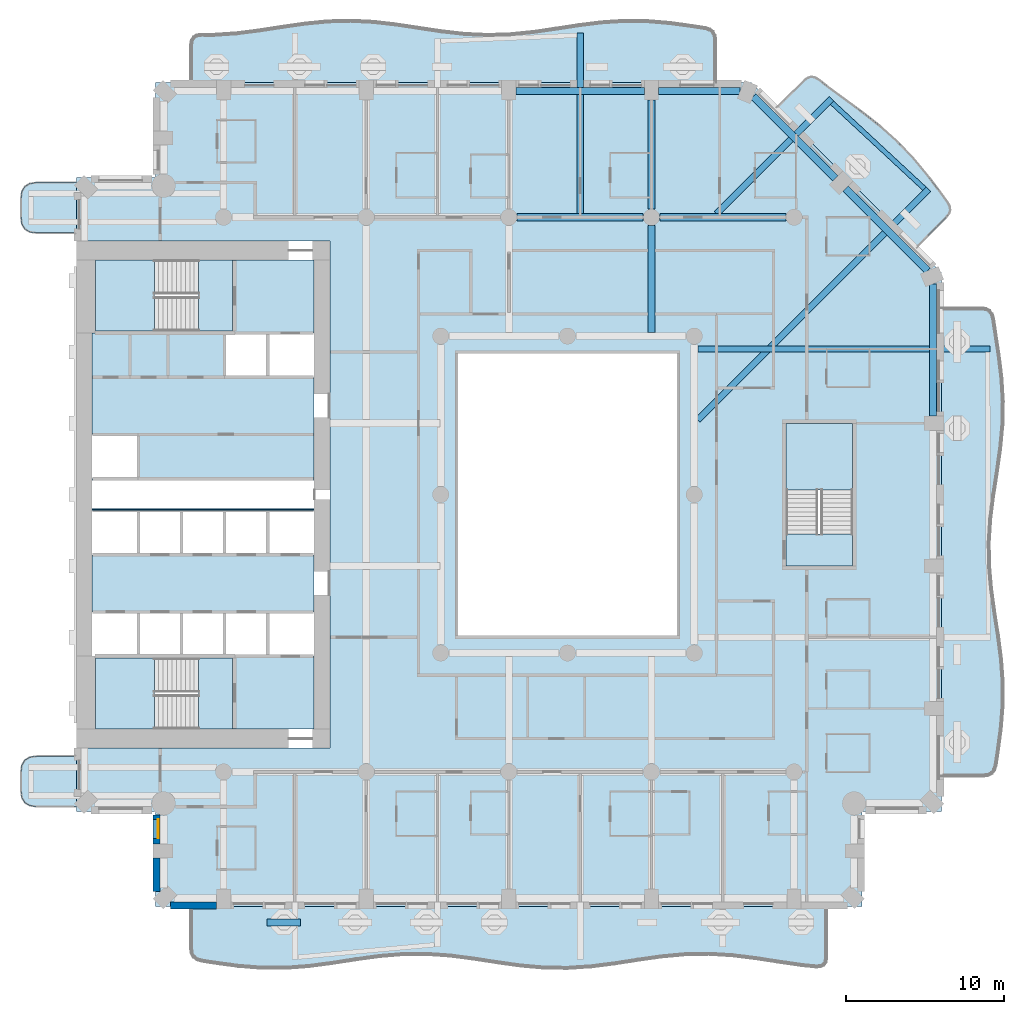
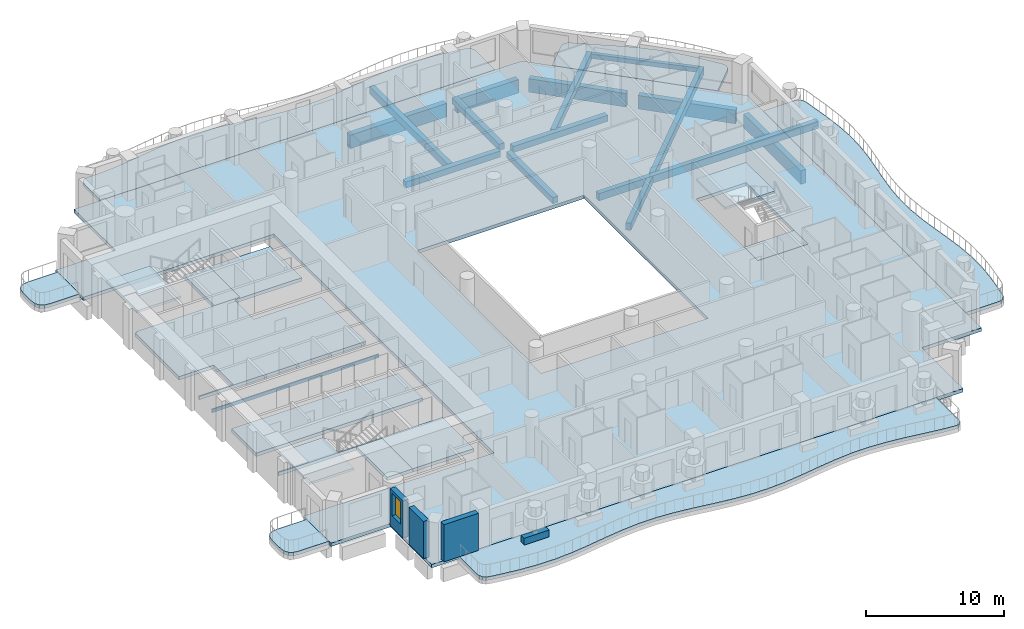
# One storey, part 2 of 20: 17 slabs, 14 beams, 4 walls, 1 window, 1 opening, 3 elements without a shape of their own.
"""IFC4 building model written with IfcOpenShell, lengths in metres."""

from ifc_helpers import new_model, si_unit, direction, frame, frame_2d, origin, origin_2d, place, context, subcontext, project, spatial, polyline, rectangle, outline, extrude, material, layer, layer_set, material_profile, profile_set, type_object, element, fill, aggregate, save


model = new_model("IFC4")

# Units and contexts
model_context = context("Model", 3, precision=1e-05, world=origin(), true_north=direction((0.0, 1.0)))
body_context = subcontext(model_context, "Body", "Model", "MODEL_VIEW")
ifc_project = project(units=[si_unit("LENGTHUNIT", "METRE"), si_unit("AREAUNIT", "SQUARE_METRE"), si_unit("VOLUMEUNIT", "CUBIC_METRE"), si_unit("PLANEANGLEUNIT", "RADIAN"), si_unit("MASSUNIT", "GRAM", prefix="KILO")], contexts=[model_context])

# Site, building, storey
site_placement = place(None, origin())
site = spatial("IfcSite", under=ifc_project, at=site_placement, CompositionType="ELEMENT")
building_placement = place(site_placement, origin())
building = spatial("IfcBuilding", under=site, at=building_placement, Name="Cypress Arch Tower", CompositionType="ELEMENT")
storey_placement = place(building_placement, frame((0.0, 0.0, 113.10009765625)))
storey = spatial("IfcBuildingStorey", under=building, at=storey_placement, Name="L23", CompositionType="ELEMENT", Elevation=113.10009765625)

# Beams
ifc_material_1 = material(Name="Concrete C50/60", Category="concrete")
ifc_material_profile_1 = material_profile(ifc_material_1, rectangle(XDim=0.300048828125, YDim=0.39990234375, at=origin_2d()), Name="RC 300x400")
ifc_profile_set_1 = profile_set([ifc_material_profile_1], Name="Concrete C50/60")
beam_type_1 = type_object("IfcBeamType", Name="Balcony edge beam RC 300x400 Concrete C50/60", PredefinedType="BEAM", material=ifc_profile_set_1)
beam_1_placement = place(storey_placement, frame((23.5302734375, 19.301025390625, -0.5), z_axis=(-0.732602447454, 0.680656781341, 0.0), x_axis=(-0.680656781341, -0.732602447454, 0.0)))
element("IfcBeam", 1, at=beam_1_placement, inside=storey, type_object=beam_type_1, Name="Balcony edge beam L23 A07", PredefinedType="BEAM", context=body_context, shape_type="SweptSolid", body=[
    extrude(rectangle(XDim=0.300048828125, YDim=0.39990234375, at=origin_2d()), origin(), (0.0, 0.0, 1.0), 7.96630859375),
])
ifc_material_2 = material(Name="Concrete C50/60", Category="concrete")
ifc_material_profile_2 = material_profile(ifc_material_2, rectangle(XDim=0.39990234375, YDim=0.64990234375, at=origin_2d()), Name="RC 400x650")
ifc_profile_set_2 = profile_set([ifc_material_profile_2], Name="Concrete C50/60")
beam_type_2 = type_object("IfcBeamType", Name="Cantilever beam RC 400x650 Concrete C50/60", PredefinedType="BEAM", material=ifc_profile_set_2)
beam_2_placement = place(storey_placement, frame((9.22509765625, 9.18798828125, -0.625), z_axis=(1.0, 0.0, 0.0), x_axis=(0.0, 1.0, 0.0)))
element("IfcBeam", 2, at=beam_2_placement, inside=storey, type_object=beam_type_2, Name="Cantilever beam L23 A06 2", PredefinedType="BEAM", context=body_context, shape_type="SweptSolid", body=[
    extrude(rectangle(XDim=0.39990234375, YDim=0.64990234375, at=origin_2d()), origin(), (0.0, 0.0, 1.0), 18.448486328125),
])
beam_3_placement = place(storey_placement, frame((9.22509765625, 4.712890625, -0.625), z_axis=(0.707100849904, 0.70711271242, 0.0), x_axis=(-0.70711271242, 0.707100849904, 0.0)))
element("IfcBeam", 3, at=beam_3_placement, inside=storey, type_object=beam_type_2, Name="Cantilever beam L23 A07 1", PredefinedType="BEAM", context=body_context, shape_type="SweptSolid", body=[
    extrude(rectangle(XDim=0.39990234375, YDim=0.64990234375, at=origin_2d()), origin(), (0.0, 0.0, 1.0), 20.580810546875),
])
beam_4_placement = place(storey_placement, frame((10.412841796875, 17.72509765625, -0.625), z_axis=(0.707106781187, 0.707106781187, 0.0), x_axis=(-0.707106781187, 0.707106781187, 0.0)))
element("IfcBeam", 4, at=beam_4_placement, inside=storey, type_object=beam_type_2, Name="Cantilever beam L23 A07 2", PredefinedType="BEAM", context=body_context, shape_type="SweptSolid", body=[
    extrude(rectangle(XDim=0.39990234375, YDim=0.64990234375, at=origin_2d()), origin(), (0.0, 0.0, 1.0), 10.2470703125),
])
beam_5_placement = place(storey_placement, frame((1.800048828125, 17.72509765625, -0.625), z_axis=(0.0, 1.0, 0.0), x_axis=(-1.0, 0.0, 0.0)))
element("IfcBeam", 5, at=beam_5_placement, inside=storey, type_object=beam_type_2, Name="Cantilever beam L23 A08 1", PredefinedType="BEAM", context=body_context, shape_type="SweptSolid", body=[
    extrude(rectangle(XDim=0.39990234375, YDim=0.64990234375, at=origin_2d()), origin(), (0.0, 0.0, 1.0), 11.40625),
])
ifc_material_3 = material(Name="Concrete C50/60", Category="concrete")
ifc_material_profile_3 = material_profile(ifc_material_3, rectangle(XDim=0.449951171875, YDim=0.550048828125, at=origin_2d()), Name="RC 450x550")
ifc_profile_set_3 = profile_set([ifc_material_profile_3], Name="Concrete C50/60")
beam_type_3 = type_object("IfcBeamType", Name="Floor beam RC 450x550 Concrete C50/60", PredefinedType="BEAM", material=ifc_profile_set_3)
for number, where, z_axis, x_axis, name in (
    (6, (-2.175048828125, 17.5, -0.5751953125), (1.0, 0.0, 0.0), (0.0, 1.0, 0.0), "Floor beam L23 FB017"),
    (7, (6.824951171875, 17.5, -0.5751953125), (1.0, 0.0, 0.0), (0.0, 1.0, 0.0), "Floor beam L23 FB018"),
):
    element("IfcBeam", number, at=place(storey_placement, frame(where, z_axis=z_axis, x_axis=x_axis)), inside=storey, type_object=beam_type_3, Name=name, PredefinedType="BEAM", context=body_context, shape_type="SweptSolid", body=[
        extrude(rectangle(XDim=0.449951171875, YDim=0.550048828125, at=origin_2d()), origin(), (0.0, 0.0, 1.0), 7.949951171875),
    ])
beam_6_placement = place(storey_placement, frame((6.300048828125, 10.22509765625, -0.5751953125), z_axis=(0.0, 1.0, 0.0), x_axis=(-1.0, 0.0, 0.0)))
element("IfcBeam", 8, at=beam_6_placement, inside=storey, type_object=beam_type_3, Name="Floor beam L23 FB032", PredefinedType="BEAM", context=body_context, shape_type="SweptSolid", body=[
    extrude(rectangle(XDim=0.449951171875, YDim=0.550048828125, at=origin_2d()), origin(), (0.0, 0.0, 1.0), 6.75),
])
beam_7_placement = place(storey_placement, frame((6.300048828125, 18.02490234375, -0.5751953125), z_axis=(0.0, 1.0, 0.0), x_axis=(-1.0, 0.0, 0.0)))
element("IfcBeam", 9, at=beam_7_placement, inside=storey, type_object=beam_type_3, Name="Floor beam L23 FB033", PredefinedType="BEAM", context=body_context, shape_type="SweptSolid", body=[
    extrude(rectangle(XDim=0.449951171875, YDim=0.550048828125, at=origin_2d()), origin(), (0.0, 0.0, 1.0), 6.875),
])
ifc_material_4 = material(Name="Concrete C50/60", Category="concrete")
ifc_material_profile_4 = material_profile(ifc_material_4, rectangle(XDim=0.449951171875, YDim=1.199951171875, at=origin_2d()), Name="RC 450x1200")
ifc_profile_set_4 = profile_set([ifc_material_profile_4], Name="Concrete C50/60")
beam_type_4 = type_object("IfcBeamType", Name="Spandrel beam RC 450x1200 Concrete C50/60", PredefinedType="SPANDREL", material=ifc_profile_set_4)
beam_8_placement = place(storey_placement, frame((24.074951171875, 4.949951171875, -1.550048828125), z_axis=(0.0, 1.0, 0.0), x_axis=(-1.0, 0.0, 0.0)))
element("IfcBeam", 10, at=beam_8_placement, inside=storey, type_object=beam_type_4, Name="Spandrel beam L23 BA06-3", PredefinedType="SPANDREL", context=body_context, shape_type="SweptSolid", body=[
    extrude(rectangle(XDim=0.449951171875, YDim=1.199951171875, at=origin_2d()), origin(), (0.0, 0.0, 1.0), 8.345458984375),
])
for number, where, z_axis, x_axis, name in (
    (11, (23.73046875, 14.126953125, -1.550048828125), (-0.707106781187, 0.707106781187, 0.0), (-0.707106781187, -0.707106781187, 0.0), "Spandrel beam L23 BA07-0"),
    (12, (17.91064453125, 19.947021484375, -1.550048828125), (-0.707106781187, 0.707106781187, 0.0), (-0.707106781187, -0.707106781187, 0.0), "Spandrel beam L23 BA07-1"),
):
    element("IfcBeam", number, at=place(storey_placement, frame(where, z_axis=z_axis, x_axis=x_axis)), inside=storey, type_object=beam_type_4, Name=name, PredefinedType="SPANDREL", context=body_context, shape_type="SweptSolid", body=[
        extrude(rectangle(XDim=0.449951171875, YDim=1.199951171875, at=origin_2d()), origin(), (0.0, 0.0, 1.0), 7.330810546875),
    ])
beam_9_placement = place(storey_placement, frame((11.8955078125, 25.47509765625, -1.550048828125), z_axis=(-1.0, 0.0, 0.0), x_axis=(0.0, -1.0, 0.0)))
element("IfcBeam", 13, at=beam_9_placement, inside=storey, type_object=beam_type_4, Name="Spandrel beam L23 BA08-0", PredefinedType="SPANDREL", context=body_context, shape_type="SweptSolid", body=[
    extrude(rectangle(XDim=0.449951171875, YDim=1.199951171875, at=origin_2d()), origin(), (0.0, 0.0, 1.0), 5.1455078125),
])
beam_10_placement = place(storey_placement, frame((5.85009765625, 25.47509765625, -1.550048828125), z_axis=(-1.0, 0.0, 0.0), x_axis=(0.0, -1.0, 0.0)))
element("IfcBeam", 14, at=beam_10_placement, inside=storey, type_object=beam_type_4, Name="Spandrel beam L23 BA08-1", PredefinedType="SPANDREL", context=body_context, shape_type="SweptSolid", body=[
    extrude(rectangle(XDim=0.449951171875, YDim=1.199951171875, at=origin_2d()), origin(), (0.0, 0.0, 1.0), 8.10009765625),
])

# Slabs
ifc_material_5 = material(Name="Concrete C40/50", Category="concrete")
ifc_layer_1 = layer(ifc_material_5, 0.300048828125)
ifc_layer_set_1 = layer_set([ifc_layer_1], Name="Balcony slab BS300")
slab_type_1 = type_object("IfcSlabType", Name="Balcony slab BS300", PredefinedType="USERDEFINED", material=ifc_layer_set_1)
slab_1_placement = place(storey_placement, frame((0.0, 0.0, -0.300048828125)))
element("IfcSlab", 15, at=slab_1_placement, inside=storey, type_object=slab_type_1, Name="Balcony slab L23-A00W0", ObjectType="BALCONY SLAB", PredefinedType="USERDEFINED", context=body_context, shape_type="SweptSolid", body=[
    extrude(outline(polyline([(-30.0, 19.699951171875), (-32.5, 19.699951171875), (-32.9375, 19.637451171875), (-33.25, 19.449951171875), (-33.4375, 19.137451171875), (-33.5, 18.699951171875), (-33.5, 17.5), (-33.4375, 17.0625), (-33.25, 16.75), (-32.9375, 16.5625), (-32.5, 16.5), (-30.0, 16.5), (-30.0, 19.699951171875)])), origin(), (0.0, 0.0, 1.0), 0.300048828125),
])
slab_2_placement = place(storey_placement, frame((0.0, 0.0, -0.300048828125)))
element("IfcSlab", 16, at=slab_2_placement, inside=storey, type_object=slab_type_1, Name="Balcony slab L23-A00W1", ObjectType="BALCONY SLAB", PredefinedType="USERDEFINED", context=body_context, shape_type="SweptSolid", body=[
    extrude(outline(polyline([(-30.0, -16.5), (-32.5, -16.5), (-32.9375, -16.5625), (-33.25, -16.75), (-33.4375, -17.0625), (-33.5, -17.5), (-33.5, -18.699951171875), (-33.4375, -19.137451171875), (-33.25, -19.449951171875), (-32.9375, -19.637451171875), (-32.5, -19.699951171875), (-30.0, -19.699951171875), (-30.0, -16.5)])), origin(), (0.0, 0.0, 1.0), 0.300048828125),
])
slab_3_placement = place(storey_placement, frame((0.0, 0.0, -0.300048828125)))
element("IfcSlab", 17, at=slab_3_placement, inside=storey, type_object=slab_type_1, Name="Balcony slab L23-A03", ObjectType="BALCONY SLAB", PredefinedType="USERDEFINED", context=body_context, shape_type="SweptSolid", body=[
    extrude(outline(polyline([(-22.75, -26.0), (-22.75, -28.6572265625), (-22.708251953125, -28.95947265625), (-22.5830078125, -29.1904296875), (-22.3740234375, -29.349609375), (-22.081787109375, -29.437255859375), (-21.264892578125, -29.564208984375), (-19.779541015625, -29.764892578125), (-18.29443359375, -29.8828125), (-16.809326171875, -29.886962890625), (-15.323974609375, -29.7763671875), (-13.8388671875, -29.579833984375), (-12.353759765625, -29.349365234375), (-10.868408203125, -29.145263671875), (-9.38330078125, -29.021240234375), (-7.898193359375, -29.010009765625), (-6.412841796875, -29.1142578125), (-4.927734375, -29.306884765625), (-3.442626953125, -29.537109375), (-1.95751953125, -29.744384765625), (-0.47216796875, -29.874267578125), (1.012939453125, -29.892822265625), (2.498046875, -29.794921875), (3.9833984375, -29.6064453125), (5.468505859375, -29.376708984375), (6.95361328125, -29.166259765625), (8.43896484375, -29.030517578125), (9.924072265625, -29.0048828125), (11.4091796875, -29.09619140625), (12.89453125, -29.280517578125), (14.379638671875, -29.509521484375), (15.86474609375, -29.72265625), (16.681640625, -29.800537109375), (16.97412109375, -29.786376953125), (17.182861328125, -29.680419921875), (17.308349609375, -29.482666015625), (17.35009765625, -29.19287109375), (17.35009765625, -26.0), (-22.75, -26.0)])), origin(), (0.0, 0.0, 1.0), 0.300048828125),
])
slab_4_placement = place(storey_placement, frame((0.0, 0.0, -0.300048828125)))
element("IfcSlab", 18, at=slab_4_placement, inside=storey, type_object=slab_type_1, Name="Balcony slab L23-A06", ObjectType="BALCONY SLAB", PredefinedType="USERDEFINED", context=body_context, shape_type="SweptSolid", body=[
    extrude(outline(polyline([(24.60009765625, -17.75), (27.26171875, -17.75), (27.562255859375, -17.70849609375), (27.791259765625, -17.583984375), (27.949462890625, -17.376708984375), (28.03662109375, -17.086181640625), (28.16259765625, -16.27490234375), (28.362548828125, -14.800048828125), (28.4814453125, -13.324951171875), (28.488525390625, -11.85009765625), (28.3818359375, -10.375), (28.18896484375, -8.89990234375), (27.960205078125, -7.425048828125), (27.7548828125, -5.949951171875), (27.625732421875, -4.47509765625), (27.60693359375, -3.0), (27.702880859375, -1.52490234375), (27.888671875, -0.050048828125), (28.116455078125, 1.425048828125), (28.3271484375, 2.89990234375), (28.4658203125, 4.375), (28.49658203125, 5.85009765625), (28.41162109375, 7.324951171875), (28.23291015625, 8.800048828125), (28.0068359375, 10.27490234375), (27.888671875, 11.086181640625), (27.804443359375, 11.376708984375), (27.6484375, 11.583984375), (27.420654296875, 11.70849609375), (27.12109375, 11.75), (24.60009765625, 11.75), (24.60009765625, -17.75)])), origin(), (0.0, 0.0, 1.0), 0.300048828125),
])
slab_5_placement = place(storey_placement, frame((0.0, 0.0, -0.300048828125)))
element("IfcSlab", 19, at=slab_5_placement, inside=storey, type_object=slab_type_1, Name="Balcony slab L23-A07", ObjectType="BALCONY SLAB", PredefinedType="USERDEFINED", context=body_context, shape_type="SweptSolid", body=[
    extrude(outline(polyline([(23.009033203125, 15.591064453125), (24.919921875, 17.501953125), (25.091796875, 17.72900390625), (25.16162109375, 17.9638671875), (25.12890625, 18.206787109375), (24.993896484375, 18.45751953125), (24.538818359375, 19.080322265625), (23.6953125, 20.1962890625), (22.804443359375, 21.26513671875), (21.845947265625, 22.26611328125), (20.814697265625, 23.194580078125), (19.722900390625, 24.06201171875), (18.595703125, 24.89453125), (17.46728515625, 25.725830078125), (16.86474609375, 26.200927734375), (16.621337890625, 26.34326171875), (16.384033203125, 26.381591796875), (16.15283203125, 26.315673828125), (15.927734375, 26.145751953125), (14.19091796875, 24.408935546875), (23.009033203125, 15.591064453125)])), origin(), (0.0, 0.0, 1.0), 0.300048828125),
])
slab_6_placement = place(storey_placement, frame((0.0, 0.0, -0.300048828125)))
element("IfcSlab", 20, at=slab_6_placement, inside=storey, type_object=slab_type_1, Name="Balcony slab L23-A08", ObjectType="BALCONY SLAB", PredefinedType="USERDEFINED", context=body_context, shape_type="SweptSolid", body=[
    extrude(outline(polyline([(10.35009765625, 26.0), (10.35009765625, 28.67822265625), (10.3095703125, 28.97119140625), (10.18798828125, 29.19482421875), (9.98583984375, 29.34912109375), (9.702392578125, 29.43408203125), (8.910888671875, 29.55712890625), (7.4716796875, 29.75439453125), (6.03271484375, 29.87646484375), (4.593505859375, 29.89306640625), (3.154296875, 29.800048828125), (1.71533203125, 29.620849609375), (0.276123046875, 29.399169921875), (-1.1630859375, 29.190185546875), (-2.602294921875, 29.04541015625), (-4.041259765625, 29.00048828125), (-5.48046875, 29.066650390625), (-6.919677734375, 29.227783203125), (-8.358642578125, 29.443603515625), (-9.7978515625, 29.660888671875), (-11.237060546875, 29.826171875), (-12.676025390625, 29.898681640625), (-14.115234375, 29.860107421875), (-15.554443359375, 29.72021484375), (-16.993408203125, 29.513671875), (-18.4326171875, 29.291259765625), (-19.871826171875, 29.108154296875), (-21.310791015625, 29.009521484375), (-22.102294921875, 29.01513671875), (-22.3857421875, 28.9765625), (-22.588134765625, 28.856689453125), (-22.70947265625, 28.655029296875), (-22.75, 28.3720703125), (-22.75, 26.0), (10.35009765625, 26.0)])), origin(), (0.0, 0.0, 1.0), 0.300048828125),
])
ifc_material_6 = material(Name="Concrete C40/50", Category="concrete")
ifc_layer_2 = layer(ifc_material_6, 0.300048828125)
ifc_layer_set_2 = layer_set([ifc_layer_2], Name="Core floor CF300")
slab_type_2 = type_object("IfcSlabType", Name="Core floor CF300", PredefinedType="FLOOR", material=ifc_layer_set_2)
slab_7_placement = place(storey_placement, frame((0.0, 0.0, -0.300048828125)))
element("IfcSlab", 21, at=slab_7_placement, inside=storey, type_object=slab_type_2, Name="Core floor", PredefinedType="FLOOR", context=body_context, shape_type="SweptSolid", body=[
    extrude(outline(polyline([(-20.125, -14.800048828125), (-15.0, -14.800048828125), (-15.0, -10.199951171875), (-17.919921875, -10.199951171875), (-20.639892578125, -10.199951171875), (-23.360107421875, -10.199951171875), (-26.080078125, -10.199951171875), (-28.800048828125, -10.199951171875), (-28.800048828125, -10.324951171875), (-22.27490234375, -10.324951171875), (-20.125, -10.324951171875), (-20.125, -14.800048828125)])), origin(), (0.0, 0.0, 1.0), 0.300048828125),
])
slab_8_placement = place(storey_placement, frame((0.0, 0.0, -0.300048828125)))
element("IfcSlab", 22, at=slab_8_placement, inside=storey, type_object=slab_type_2, Name="Core floor", PredefinedType="FLOOR", context=body_context, shape_type="SweptSolid", body=[
    extrude(outline(polyline([(-29.0, -3.800048828125), (-29.0, -7.39990234375), (-26.080078125, -7.39990234375), (-23.360107421875, -7.39990234375), (-20.639892578125, -7.39990234375), (-17.919921875, -7.39990234375), (-15.0, -7.39990234375), (-15.0, -3.800048828125), (-17.919921875, -3.800048828125), (-20.639892578125, -3.800048828125), (-23.360107421875, -3.800048828125), (-26.080078125, -3.800048828125), (-29.0, -3.800048828125)])), origin(), (0.0, 0.0, 1.0), 0.300048828125),
])
slab_9_placement = place(storey_placement, frame((0.0, 0.0, -0.300048828125)))
element("IfcSlab", 23, at=slab_9_placement, inside=storey, type_object=slab_type_2, Name="Core floor", PredefinedType="FLOOR", context=body_context, shape_type="SweptSolid", body=[
    extrude(outline(polyline([(-29.0, 3.800048828125), (-29.0, 10.199951171875), (-28.800048828125, 10.199951171875), (-28.800048828125, 10.324951171875), (-28.60009765625, 10.324951171875), (-22.27490234375, 10.324951171875), (-20.125, 10.324951171875), (-20.125, 14.800048828125), (-15.39990234375, 14.800048828125), (-15.0, 14.800048828125), (-15.0, 10.199951171875), (-15.39990234375, 10.199951171875), (-17.919921875, 10.199951171875), (-20.639892578125, 10.199951171875), (-20.639892578125, 7.39990234375), (-17.919921875, 7.39990234375), (-15.39990234375, 7.39990234375), (-15.0, 7.39990234375), (-15.0, 0.89990234375), (-28.60009765625, 0.89990234375), (-29.0, 0.89990234375), (-29.0, 1.0), (-28.60009765625, 1.0), (-26.080078125, 1.0), (-26.080078125, 3.800048828125), (-28.60009765625, 3.800048828125), (-29.0, 3.800048828125)])), origin(), (0.0, 0.0, 1.0), 0.300048828125),
])
slab_10_placement = place(storey_placement, frame((0.0, 0.0, -0.300048828125)))
element("IfcSlab", 24, at=slab_10_placement, inside=storey, type_object=slab_type_2, Name="Core floor", PredefinedType="FLOOR", context=body_context, shape_type="SweptSolid", body=[
    extrude(outline(polyline([(-22.27490234375, -10.324951171875), (-22.27490234375, -14.800048828125), (-20.125, -14.800048828125), (-20.125, -10.324951171875), (-22.27490234375, -10.324951171875)])), origin(), (0.0, 0.0, 1.0), 0.300048828125),
])
slab_11_placement = place(storey_placement, frame((0.0, 0.0, -0.300048828125)))
element("IfcSlab", 25, at=slab_11_placement, inside=storey, type_object=slab_type_2, Name="Core floor", PredefinedType="FLOOR", context=body_context, shape_type="SweptSolid", body=[
    extrude(outline(polyline([(-20.125, 14.800048828125), (-22.27490234375, 14.800048828125), (-22.27490234375, 10.324951171875), (-20.125, 10.324951171875), (-20.125, 14.800048828125)])), origin(), (0.0, 0.0, 1.0), 0.300048828125),
])
slab_12_placement = place(storey_placement, frame((0.0, 0.0, -0.300048828125)))
element("IfcSlab", 26, at=slab_12_placement, inside=storey, type_object=slab_type_2, Name="Stair floor landing", PredefinedType="FLOOR", context=body_context, shape_type="SweptSolid", body=[
    extrude(outline(polyline([(19.0, -4.5), (19.0, -2.5), (14.800048828125, -2.5), (14.800048828125, -4.5), (19.0, -4.5)])), origin(), (0.0, 0.0, 1.0), 0.300048828125),
])
slab_13_placement = place(storey_placement, frame((0.0, 0.0, -0.300048828125)))
element("IfcSlab", 27, at=slab_13_placement, inside=storey, type_object=slab_type_2, Name="Core floor", PredefinedType="FLOOR", context=body_context, shape_type="SweptSolid", body=[
    extrude(outline(polyline([(-20.639892578125, -1.0), (-23.360107421875, -1.0), (-26.080078125, -1.0), (-28.60009765625, -1.0), (-29.0, -1.0), (-29.0, -0.89990234375), (-28.60009765625, -0.89990234375), (-15.39990234375, -0.89990234375), (-15.0, -0.89990234375), (-15.0, -1.0), (-15.39990234375, -1.0), (-17.919921875, -1.0), (-20.639892578125, -1.0)])), origin(), (0.0, 0.0, 1.0), 0.300048828125),
])
ifc_material_7 = material(Name="Concrete C40/50", Category="concrete")
ifc_layer_3 = layer(ifc_material_7, 0.300048828125)
ifc_layer_set_3 = layer_set([ifc_layer_3], Name="PT flat slab 300 Concrete C40/50")
slab_type_3 = type_object("IfcSlabType", Name="PT flat slab 300 Concrete C40/50", PredefinedType="FLOOR", material=ifc_layer_set_3)
slab_14_placement = place(storey_placement, frame((0.0, 0.0, -0.300048828125)))
element("IfcSlab", 28, at=slab_14_placement, inside=storey, type_object=slab_type_3, Name="Floor slab L23", PredefinedType="FLOOR", context=body_context, shape_type="SweptSolid", body=[
    extrude(outline(polyline([(-30.0, 20.0), (-25.0, 20.0), (-25.0, 26.0), (12.60009765625, 26.0), (24.60009765625, 14.0), (24.60009765625, -20.0), (19.60009765625, -20.0), (19.60009765625, -26.0), (-25.0, -26.0), (-25.0, -20.0), (-30.0, -20.0), (-30.0, -16.0), (-14.0, -16.0), (-14.0, 16.0), (-30.0, 16.0), (-30.0, 20.0)]), holes=[polyline([(-6.0, -9.0), (8.0, -9.0), (8.0, 9.0), (-6.0, 9.0), (-6.0, -9.0)]), polyline([(14.800048828125, -4.5), (19.0, -4.5), (19.0, 4.5), (14.800048828125, 4.5), (14.800048828125, -4.5)])]), origin(), (0.0, 0.0, 1.0), 0.300048828125),
])

# Stair, slab
ifc_material_8 = material(Name="Concrete C40/50", Category="concrete")
stair_type_1 = type_object("IfcStairType", Name="Exit stair ES1636-215", PredefinedType="HALF_TURN_STAIR", material=ifc_material_8)
stair_1_placement = place(storey_placement, origin())
stair_1 = element("IfcStair", 29, at=stair_1_placement, inside=storey, type_object=stair_type_1, Name="L23 Exit stair A", PredefinedType="HALF_TURN_STAIR")
ifc_material_9 = material(Name="Concrete C40/50", Category="concrete")
ifc_layer_4 = layer(ifc_material_9, 0.199951171875)
ifc_layer_set_4 = layer_set([ifc_layer_4], Name="Stair landing SL200")
slab_type_4 = type_object("IfcSlabType", Name="Stair landing SL200", PredefinedType="LANDING", material=ifc_layer_set_4)
slab_15_placement = place(storey_placement, frame((0.0, 0.0, 1.599853515625)))
slab_15 = element("IfcSlab", 30, at=slab_15_placement, type_object=slab_type_4, Name="A landing 1", PredefinedType="LANDING", context=body_context, shape_type="SweptSolid", body=[
    extrude(outline(polyline([(-25.074951171875, -10.324951171875), (-28.800048828125, -10.324951171875), (-28.800048828125, -14.800048828125), (-25.074951171875, -14.800048828125), (-25.074951171875, -10.324951171875)])), origin(), (0.0, 0.0, 1.0), 0.199951171875),
])
aggregate(stair_1, [slab_15])

stair_2_placement = place(storey_placement, origin())
stair_2 = element("IfcStair", 31, at=stair_2_placement, inside=storey, type_object=stair_type_1, Name="L23 Exit stair B", PredefinedType="HALF_TURN_STAIR")
slab_16_placement = place(storey_placement, frame((0.0, 0.0, 1.599853515625)))
slab_16 = element("IfcSlab", 32, at=slab_16_placement, type_object=slab_type_4, Name="B landing 1", PredefinedType="LANDING", context=body_context, shape_type="SweptSolid", body=[
    extrude(outline(polyline([(-25.074951171875, 14.800048828125), (-28.800048828125, 14.800048828125), (-28.800048828125, 10.324951171875), (-25.074951171875, 10.324951171875), (-25.074951171875, 14.800048828125)])), origin(), (0.0, 0.0, 1.0), 0.199951171875),
])
aggregate(stair_2, [slab_16])

ifc_material_10 = material(Name="Concrete C40/50", Category="concrete")
stair_type_2 = type_object("IfcStairType", Name="Exit stair ES1636-200", PredefinedType="HALF_TURN_STAIR", material=ifc_material_10)
stair_3_placement = place(storey_placement, origin())
stair_3 = element("IfcStair", 33, at=stair_3_placement, inside=storey, type_object=stair_type_2, Name="L23 Exit stair C", PredefinedType="HALF_TURN_STAIR")
slab_17_placement = place(storey_placement, frame((0.0, 0.0, 1.599853515625)))
slab_17 = element("IfcSlab", 34, at=slab_17_placement, type_object=slab_type_4, Name="C landing 1", PredefinedType="LANDING", context=body_context, shape_type="SweptSolid", body=[
    extrude(outline(polyline([(19.0, 0.300048828125), (19.0, 4.5), (14.800048828125, 4.5), (14.800048828125, 0.300048828125), (19.0, 0.300048828125)])), origin(), (0.0, 0.0, 1.0), 0.199951171875),
])
aggregate(stair_3, [slab_17])

# Wall
ifc_material_11 = material(Name="Concrete C40/50, waterproofed", Category="concrete")
ifc_layer_5 = layer(ifc_material_11, 0.449951171875)
ifc_layer_set_5 = layer_set([ifc_layer_5], Name="Balcony planter wall PW450")
wall_type_1 = type_object("IfcWallType", Name="Balcony planter wall PW450", PredefinedType="SOLIDWALL", material=ifc_layer_set_5)
wall_1_placement = place(storey_placement, frame((-17.949951171875, -27.0, 0.0), z_axis=(0.0, 0.0, 1.0), x_axis=(1.0, 0.0, 0.0)))
element("IfcWall", 35, at=wall_1_placement, inside=storey, type_object=wall_type_1, Name="Balcony planter wall L23-A03.1", PredefinedType="SOLIDWALL", context=body_context, shape_type="SweptSolid", body=[
    extrude(rectangle(XDim=2.099853515625, YDim=0.449951171875, at=frame_2d((1.0498046875, 0.0))), origin(), (0.0, 0.0, 1.0), 0.599853515625),
])

# Wall, opening, window
ifc_material_12 = material(Name="Brick (red buff blend)", Category="masonry")
ifc_layer_6 = layer(ifc_material_12, 0.449951171875)
ifc_layer_set_6 = layer_set([ifc_layer_6], Name="Brick pier and spandrel wall BW450")
wall_type_2 = type_object("IfcWallType", Name="Brick pier and spandrel wall BW450", PredefinedType="SOLIDWALL", material=ifc_layer_set_6)
wall_2_placement = place(storey_placement, frame((-24.925048828125, -20.20703125, 0.0), z_axis=(0.0, 0.0, 1.0), x_axis=(0.0, -1.0, 0.0)))
wall_2 = element("IfcWall", 36, at=wall_2_placement, inside=storey, type_object=wall_type_2, Name="Brick wall L23 A02.0", PredefinedType="SOLIDWALL", context=body_context, shape_type="SweptSolid", body=[
    extrude(rectangle(XDim=1.843017578125, YDim=0.449951171875, at=frame_2d((0.92138671875, 0.0))), origin(), (0.0, 0.0, 1.0), 3.2998046875),
])
opening_placement = place(wall_2_placement, frame((0.29296875, 0.0, 1.050048828125)))
opening = element("IfcOpeningElement", 37, at=opening_placement, cuts=wall_2, Name="Opening W120H", PredefinedType="OPENING", context=body_context, shape_type="SweptSolid", body=[
    extrude(rectangle(XDim=1.199951171875, YDim=2.0, at=frame_2d((0.60009765625, 1.0))), frame((0.0, 0.23486328125, 0.0), z_axis=(0.0, -1.0, 0.0), x_axis=(1.0, 0.0, 0.0)), (0.0, 0.0, 1.0), 0.469970703125),
])
ifc_material_13 = material(Name="Anodised aluminium, bronze finish, clear low-emissivity double glazing", Category="aluminium")
window_type = type_object("IfcWindowType", Name="Window Hotel 1200x2000", PartitioningType="SINGLE_PANEL", PredefinedType="WINDOW", material=ifc_material_13)
window_placement = place(opening_placement, origin())
window = element("IfcWindow", 38, at=window_placement, inside=storey, type_object=window_type, Name="Window L23 A02.0.1", OverallHeight=2.0, OverallWidth=1.199951171875, PartitioningType="SINGLE_PANEL", PredefinedType="WINDOW", context=body_context, shape_type="SweptSolid", body=[
    extrude(rectangle(XDim=1.199951171875, YDim=2.0, at=frame_2d((0.60009765625, 1.0))), frame((0.0, 0.135009765625, 0.0), z_axis=(0.0, -1.0, 0.0), x_axis=(1.0, 0.0, 0.0)), (0.0, 0.0, 1.0), 0.06005859375),
])
fill(opening, window)

# Walls
wall_3_placement = place(storey_placement, frame((-24.925048828125, -22.949951171875, 0.0), z_axis=(0.0, 0.0, 1.0), x_axis=(0.0, -1.0, 0.0)))
element("IfcWall", 39, at=wall_3_placement, inside=storey, type_object=wall_type_2, Name="Brick wall L23 A02.1", PredefinedType="SOLIDWALL", context=body_context, shape_type="SweptSolid", body=[
    extrude(rectangle(XDim=2.11376953125, YDim=0.449951171875, at=frame_2d((1.056884765625, 0.0))), origin(), (0.0, 0.0, 1.0), 3.2998046875),
])
wall_4_placement = place(storey_placement, frame((-24.063720703125, -25.925048828125, 0.0), z_axis=(0.0, 0.0, 1.0), x_axis=(1.0, 0.0, 0.0)))
element("IfcWall", 40, at=wall_4_placement, inside=storey, type_object=wall_type_2, Name="Brick wall L23 A03.0", PredefinedType="SOLIDWALL", context=body_context, shape_type="SweptSolid", body=[
    extrude(rectangle(XDim=2.913818359375, YDim=0.449951171875, at=frame_2d((1.45703125, 0.0))), origin(), (0.0, 0.0, 1.0), 3.2998046875),
])

save(model, "model.ifc")
